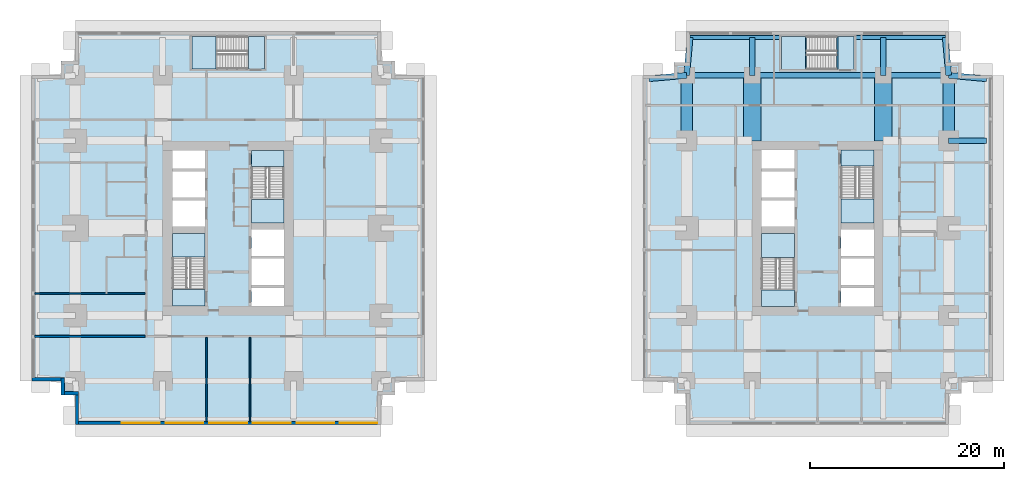
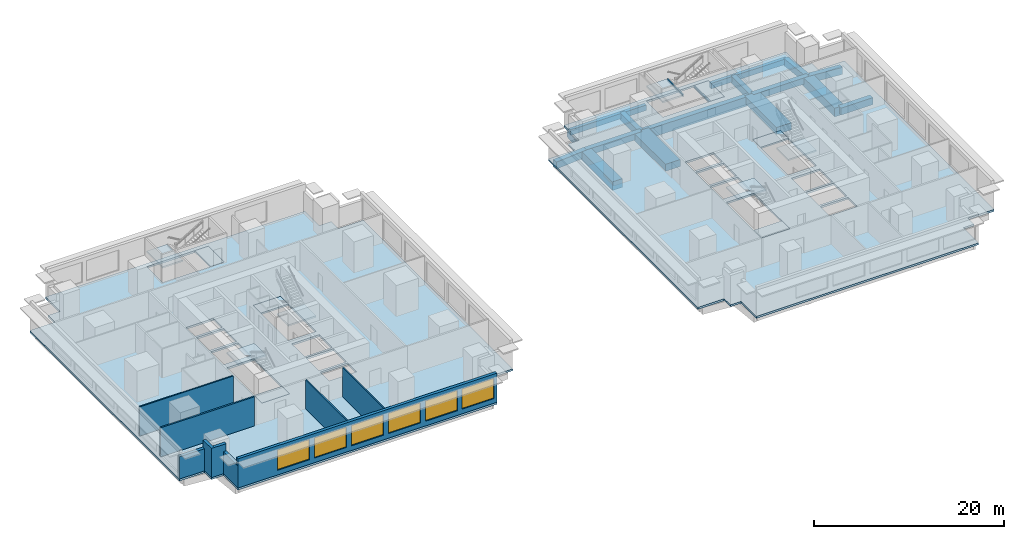
# One storey, part 2 of 11: 18 beams, 14 slabs, 9 walls, 6 windows, 6 openings, 6 elements without a shape of their own.
"""IFC4 building model written with IfcOpenShell, lengths in metres."""

from ifc_helpers import new_model, si_unit, direction, frame, frame_2d, origin, origin_2d, place, context, subcontext, project, spatial, polyline, rectangle, i_section, outline, extrude, material, layer, layer_set, material_profile, profile_set, type_object, element, fill, aggregate, save


model = new_model("IFC4")

# Units and contexts
model_context = context("Model", 3, precision=1e-05, world=origin(), true_north=direction((0.0, 1.0)))
body_context = subcontext(model_context, "Body", "Model", "MODEL_VIEW")
ifc_project = project(units=[si_unit("LENGTHUNIT", "METRE"), si_unit("AREAUNIT", "SQUARE_METRE"), si_unit("VOLUMEUNIT", "CUBIC_METRE"), si_unit("PLANEANGLEUNIT", "RADIAN"), si_unit("MASSUNIT", "GRAM", prefix="KILO")], contexts=[model_context])

# Site, building, storey
site_placement = place(None, origin())
site = spatial("IfcSite", under=ifc_project, at=site_placement, CompositionType="ELEMENT")
building_placement = place(site_placement, origin())
building = spatial("IfcBuilding", under=site, at=building_placement, Name="Namib Vertical Campus", CompositionType="ELEMENT")
storey_placement = place(building_placement, frame((0.0, 0.0, 65.0)))
storey = spatial("IfcBuildingStorey", under=building, at=storey_placement, Name="L15", CompositionType="ELEMENT", Elevation=65.0)

# Beams
ifc_material_1 = material(Name="Concrete C40/50", Category="concrete")
ifc_material_profile_1 = material_profile(ifc_material_1, rectangle(XDim=0.60009765625, YDim=0.89990234375, at=origin_2d()))
ifc_profile_set_1 = profile_set([ifc_material_profile_1], Name="Concrete C40/50")
beam_type_1 = type_object("IfcBeamType", Name="Cantilever girder RC 600x900", PredefinedType="BEAM", material=ifc_profile_set_1)
beam_1_placement = place(storey_placement, frame((67.5, 36.0, -0.699951171875), z_axis=(0.089411326146, 0.995994786511, 0.0), x_axis=(-0.995994786511, 0.089411326146, 0.0)))
element("IfcBeam", 1, at=beam_1_placement, inside=storey, type_object=beam_type_1, Name="Beam B3 L15", PredefinedType="BEAM", context=body_context, shape_type="SweptSolid", body=[
    extrude(rectangle(XDim=0.60009765625, YDim=0.89990234375, at=origin_2d()), origin(), (0.0, 0.0, 1.0), 3.91552734375),
])
for number, where, z_axis, x_axis, name in (
    (2, (74.25, 36.0, -0.699951171875), (0.0, 1.0, 0.0), (-1.0, 0.0, 0.0), "Beam B3 L15"),
    (3, (87.75, 36.0, -0.699951171875), (0.0, 1.0, 0.0), (-1.0, 0.0, 0.0), "Beam B3 L15"),
):
    element("IfcBeam", number, at=place(storey_placement, frame(where, z_axis=z_axis, x_axis=x_axis)), inside=storey, type_object=beam_type_1, Name=name, PredefinedType="BEAM", context=body_context, shape_type="SweptSolid", body=[
        extrude(rectangle(XDim=0.60009765625, YDim=0.89990234375, at=origin_2d()), origin(), (0.0, 0.0, 1.0), 3.89990234375),
    ])
for number, where, z_axis, x_axis, name in (
    (4, (94.5, 36.0, -0.699951171875), (-0.089411326146, 0.995994786511, 0.0), (-0.995994786511, -0.089411326146, 0.0), "Beam B3 L15"),
    (5, (67.5, 36.0, -0.699951171875), (-0.995994786511, -0.089411326146, 0.0), (0.089411326146, -0.995994786511, 0.0), "Beam B3 L15"),
):
    element("IfcBeam", number, at=place(storey_placement, frame(where, z_axis=z_axis, x_axis=x_axis)), inside=storey, type_object=beam_type_1, Name=name, PredefinedType="BEAM", context=body_context, shape_type="SweptSolid", body=[
        extrude(rectangle(XDim=0.60009765625, YDim=0.89990234375, at=origin_2d()), origin(), (0.0, 0.0, 1.0), 3.91552734375),
    ])
beam_2_placement = place(storey_placement, frame((94.5, 29.25, -0.699951171875), z_axis=(1.0, 0.0, 0.0), x_axis=(0.0, 1.0, 0.0)))
element("IfcBeam", 6, at=beam_2_placement, inside=storey, type_object=beam_type_1, Name="Beam B3 L15", PredefinedType="BEAM", context=body_context, shape_type="SweptSolid", body=[
    extrude(rectangle(XDim=0.60009765625, YDim=0.89990234375, at=origin_2d()), origin(), (0.0, 0.0, 1.0), 3.89990234375),
])
beam_3_placement = place(storey_placement, frame((94.5, 36.0, -0.699951171875), z_axis=(0.995994786511, -0.089411326146, 0.0), x_axis=(0.089411326146, 0.995994786511, 0.0)))
element("IfcBeam", 7, at=beam_3_placement, inside=storey, type_object=beam_type_1, Name="Beam B3 L15", PredefinedType="BEAM", context=body_context, shape_type="SweptSolid", body=[
    extrude(rectangle(XDim=0.60009765625, YDim=0.89990234375, at=origin_2d()), origin(), (0.0, 0.0, 1.0), 3.91552734375),
])
ifc_material_2 = material(Name="Concrete C40/50", Category="concrete")
ifc_material_profile_2 = material_profile(ifc_material_2, rectangle(XDim=0.39990234375, YDim=0.699951171875, at=origin_2d()))
ifc_profile_set_2 = profile_set([ifc_material_profile_2], Name="Concrete C40/50")
beam_type_2 = type_object("IfcBeamType", Name="Edge beam RC 400x700", PredefinedType="SPANDREL", material=ifc_profile_set_2)
for number, where, z_axis, x_axis, name in (
    (8, (67.85009765625, 39.89990234375, -0.60009765625), (1.0, 0.0, 0.0), (0.0, 1.0, 0.0), "Beam B4 L15"),
    (9, (84.949951171875, 39.89990234375, -0.60009765625), (1.0, 0.0, 0.0), (0.0, 1.0, 0.0), "Beam B4 L15"),
):
    element("IfcBeam", number, at=place(storey_placement, frame(where, z_axis=z_axis, x_axis=x_axis)), inside=storey, type_object=beam_type_2, Name=name, PredefinedType="SPANDREL", context=body_context, shape_type="SweptSolid", body=[
        extrude(rectangle(XDim=0.39990234375, YDim=0.699951171875, at=origin_2d()), origin(), (0.0, 0.0, 1.0), 9.199951171875),
    ])
ifc_material_3 = material(Name="Concrete C40/50", Category="concrete")
ifc_material_profile_3 = material_profile(ifc_material_3, rectangle(XDim=1.199951171875, YDim=1.10009765625, at=origin_2d()))
ifc_profile_set_3 = profile_set([ifc_material_profile_3], Name="Concrete C40/50")
beam_type_3 = type_object("IfcBeamType", Name="Face ring beam RC 1200x1100", PredefinedType="BEAM", material=ifc_profile_set_3)
for number, where, z_axis, x_axis, name in (
    (10, (67.5, 29.25, -0.800048828125), (0.0, 1.0, 0.0), (-1.0, 0.0, 0.0), "Beam B11 L15"),
    (11, (94.5, 29.25, -0.800048828125), (0.0, 1.0, 0.0), (-1.0, 0.0, 0.0), "Beam B11 L15"),
):
    element("IfcBeam", number, at=place(storey_placement, frame(where, z_axis=z_axis, x_axis=x_axis)), inside=storey, type_object=beam_type_3, Name=name, PredefinedType="BEAM", context=body_context, shape_type="SweptSolid", body=[
        extrude(rectangle(XDim=1.199951171875, YDim=1.10009765625, at=origin_2d()), origin(), (0.0, 0.0, 1.0), 6.75),
    ])
ifc_material_4 = material(Name="Steel S355JR", Category="steel")
ifc_material_profile_4 = material_profile(ifc_material_4, i_section(OverallWidth=0.14599609375, OverallDepth=0.25146484375, WebThickness=0.006103515625, FlangeThickness=0.008544921875, FilletRadius=0.007568359375, at=origin_2d()))
ifc_profile_set_4 = profile_set([ifc_material_profile_4], Name="Steel S355JR")
beam_type_4 = type_object("IfcBeamType", Name="Landing trimmer UB 254x146x31", PredefinedType="BEAM", material=ifc_profile_set_4)
for number, where, z_axis, x_axis, name in (
    (12, (83.02294921875, 36.60009765625, -0.125732421875), (0.0, 1.0, 0.0), (-1.0, 0.0, 0.0), "Landing trimmer LT1 B-S3 L15 1"),
    (13, (79.796875, 36.60009765625, 1.874267578125), (0.0, 1.0, 0.0), (-1.0, 0.0, 0.0), "Landing trimmer LT1 B-S3 L15 2"),
):
    element("IfcBeam", number, at=place(storey_placement, frame(where, z_axis=z_axis, x_axis=x_axis)), inside=storey, type_object=beam_type_4, Name=name, PredefinedType="BEAM", context=body_context, shape_type="SweptSolid", body=[
        extrude(i_section(OverallWidth=0.14599609375, OverallDepth=0.25146484375, WebThickness=0.006103515625, FlangeThickness=0.008544921875, FilletRadius=0.007568359375, at=origin_2d()), origin(), (0.0, 0.0, 1.0), 3.39990234375),
    ])
ifc_material_5 = material(Name="Concrete C40/50", Category="concrete")
ifc_material_profile_5 = material_profile(ifc_material_5, rectangle(XDim=0.60009765625, YDim=1.199951171875, at=origin_2d()))
ifc_profile_set_5 = profile_set([ifc_material_profile_5], Name="Concrete C40/50")
beam_type_5 = type_object("IfcBeamType", Name="Long-span ring beam RC 600x1200", PredefinedType="BEAM", material=ifc_profile_set_5)
beam_4_placement = place(storey_placement, frame((74.25, 36.0, -0.85009765625), z_axis=(1.0, 0.0, 0.0), x_axis=(0.0, 1.0, 0.0)))
element("IfcBeam", 14, at=beam_4_placement, inside=storey, type_object=beam_type_5, Name="Beam B9 L15", PredefinedType="BEAM", context=body_context, shape_type="SweptSolid", body=[
    extrude(rectangle(XDim=0.60009765625, YDim=1.199951171875, at=origin_2d()), origin(), (0.0, 0.0, 1.0), 13.5),
])
ifc_material_6 = material(Name="Concrete C40/50", Category="concrete")
ifc_material_profile_6 = material_profile(ifc_material_6, rectangle(XDim=1.800048828125, YDim=0.89990234375, at=origin_2d()))
ifc_profile_set_6 = profile_set([ifc_material_profile_6], Name="Concrete C40/50")
beam_type_6 = type_object("IfcBeamType", Name="Outrigger line girder RC 1800x900", PredefinedType="BEAM", material=ifc_profile_set_6)
for number, where, z_axis, x_axis, name in (
    (15, (74.25, 36.0, -0.699951171875), (0.0, -1.0, 0.0), (1.0, 0.0, 0.0), "Beam B12 L15"),
    (16, (87.75, 36.0, -0.699951171875), (0.0, -1.0, 0.0), (1.0, 0.0, 0.0), "Beam B12 L15"),
):
    element("IfcBeam", number, at=place(storey_placement, frame(where, z_axis=z_axis, x_axis=x_axis)), inside=storey, type_object=beam_type_6, Name=name, PredefinedType="BEAM", context=body_context, shape_type="SweptSolid", body=[
        extrude(rectangle(XDim=1.800048828125, YDim=0.89990234375, at=origin_2d()), origin(), (0.0, 0.0, 1.0), 6.75),
    ])
ifc_material_7 = material(Name="Concrete C40/50", Category="concrete")
ifc_material_profile_7 = material_profile(ifc_material_7, rectangle(XDim=0.60009765625, YDim=0.800048828125, at=origin_2d()))
ifc_profile_set_7 = profile_set([ifc_material_profile_7], Name="Concrete C40/50")
beam_type_7 = type_object("IfcBeamType", Name="Ring beam RC 600x800", PredefinedType="BEAM", material=ifc_profile_set_7)
for number, where, z_axis, x_axis, name in (
    (17, (67.5, 36.0, -0.64990234375), (1.0, 0.0, 0.0), (0.0, 1.0, 0.0), "Beam B1 L15"),
    (18, (87.75, 36.0, -0.64990234375), (1.0, 0.0, 0.0), (0.0, 1.0, 0.0), "Beam B1 L15"),
):
    element("IfcBeam", number, at=place(storey_placement, frame(where, z_axis=z_axis, x_axis=x_axis)), inside=storey, type_object=beam_type_7, Name=name, PredefinedType="BEAM", context=body_context, shape_type="SweptSolid", body=[
        extrude(rectangle(XDim=0.60009765625, YDim=0.800048828125, at=origin_2d()), origin(), (0.0, 0.0, 1.0), 6.75),
    ])

# Slabs
ifc_material_8 = material(Name="Concrete C40/50", Category="concrete")
ifc_layer_1 = layer(ifc_material_8, 0.25)
ifc_layer_set_1 = layer_set([ifc_layer_1], Name="Concrete C40/50")
slab_type_1 = type_object("IfcSlabType", Name="Floor slab 250", PredefinedType="FLOOR", material=ifc_layer_set_1)
slab_1_placement = place(storey_placement, frame((0.0, 0.0, -0.25)))
element("IfcSlab", 19, at=slab_1_placement, inside=storey, type_object=slab_type_1, Name="Floor slab A L15", PredefinedType="FLOOR", context=body_context, shape_type="SweptSolid", body=[
    extrude(outline(polyline([(4.5, 0.0), (36.0, 0.0), (36.0, 3.050048828125), (37.449951171875, 3.050048828125), (37.449951171875, 4.5), (40.5, 4.5), (40.5, 36.0), (37.449951171875, 36.0), (37.449951171875, 37.449951171875), (36.0, 37.449951171875), (36.0, 40.5), (4.5, 40.5), (4.5, 37.449951171875), (3.050048828125, 37.449951171875), (3.050048828125, 36.0), (0.0, 36.0), (0.0, 4.5), (3.050048828125, 4.5), (3.050048828125, 3.050048828125), (4.5, 3.050048828125), (4.5, 0.0)]), holes=[polyline([(14.5, 12.25), (17.85009765625, 12.25), (17.85009765625, 19.699951171875), (14.5, 19.699951171875), (14.5, 12.25)]), polyline([(22.64990234375, 20.800048828125), (26.0, 20.800048828125), (26.0, 28.25), (22.64990234375, 28.25), (22.64990234375, 20.800048828125)]), polyline([(22.64990234375, 12.25), (26.0, 12.25), (26.0, 14.10009765625), (22.64990234375, 14.10009765625), (22.64990234375, 12.25)]), polyline([(14.5, 20.39990234375), (17.85009765625, 20.39990234375), (17.85009765625, 23.10009765625), (14.5, 23.10009765625), (14.5, 20.39990234375)]), polyline([(14.5, 23.39990234375), (17.85009765625, 23.39990234375), (17.85009765625, 26.10009765625), (14.5, 26.10009765625), (14.5, 23.39990234375)]), polyline([(14.5, 26.39990234375), (17.85009765625, 26.39990234375), (17.85009765625, 28.25), (14.5, 28.25), (14.5, 26.39990234375)]), polyline([(22.64990234375, 14.39990234375), (26.0, 14.39990234375), (26.0, 17.10009765625), (22.64990234375, 17.10009765625), (22.64990234375, 14.39990234375)]), polyline([(22.64990234375, 17.39990234375), (26.0, 17.39990234375), (26.0, 20.10009765625), (22.64990234375, 20.10009765625), (22.64990234375, 17.39990234375)]), polyline([(16.5, 36.64990234375), (24.0, 36.64990234375), (24.0, 40.0), (16.5, 40.0), (16.5, 36.64990234375)])]), origin(), (0.0, 0.0, 1.0), 0.25),
])
slab_2_placement = place(storey_placement, frame((0.0, 0.0, -0.25)))
element("IfcSlab", 20, at=slab_2_placement, inside=storey, type_object=slab_type_1, Name="Floor slab B L15", PredefinedType="FLOOR", context=body_context, shape_type="SweptSolid", body=[
    extrude(outline(polyline([(67.5, 0.0), (94.5, 0.0), (94.5, 3.199951171875), (95.800048828125, 3.199951171875), (95.800048828125, 4.5), (99.0, 4.5), (99.0, 36.0), (95.800048828125, 36.0), (95.800048828125, 37.300048828125), (94.5, 37.300048828125), (94.5, 40.5), (67.5, 40.5), (67.5, 37.300048828125), (66.199951171875, 37.300048828125), (66.199951171875, 36.0), (63.0, 36.0), (63.0, 4.5), (66.199951171875, 4.5), (66.199951171875, 3.199951171875), (67.5, 3.199951171875), (67.5, 0.0)]), holes=[polyline([(75.199951171875, 12.199951171875), (78.60009765625, 12.199951171875), (78.60009765625, 19.699951171875), (75.199951171875, 19.699951171875), (75.199951171875, 12.199951171875)]), polyline([(83.39990234375, 20.800048828125), (86.800048828125, 20.800048828125), (86.800048828125, 28.300048828125), (83.39990234375, 28.300048828125), (83.39990234375, 20.800048828125)]), polyline([(83.39990234375, 12.199951171875), (86.800048828125, 12.199951171875), (86.800048828125, 14.10009765625), (83.39990234375, 14.10009765625), (83.39990234375, 12.199951171875)]), polyline([(75.199951171875, 20.39990234375), (78.60009765625, 20.39990234375), (78.60009765625, 23.10009765625), (75.199951171875, 23.10009765625), (75.199951171875, 20.39990234375)]), polyline([(75.199951171875, 23.39990234375), (78.60009765625, 23.39990234375), (78.60009765625, 26.10009765625), (75.199951171875, 26.10009765625), (75.199951171875, 23.39990234375)]), polyline([(75.199951171875, 26.39990234375), (78.60009765625, 26.39990234375), (78.60009765625, 28.300048828125), (75.199951171875, 28.300048828125), (75.199951171875, 26.39990234375)]), polyline([(83.39990234375, 14.39990234375), (86.800048828125, 14.39990234375), (86.800048828125, 17.10009765625), (83.39990234375, 17.10009765625), (83.39990234375, 14.39990234375)]), polyline([(83.39990234375, 17.39990234375), (86.800048828125, 17.39990234375), (86.800048828125, 20.10009765625), (83.39990234375, 20.10009765625), (83.39990234375, 17.39990234375)]), polyline([(77.25, 36.60009765625), (84.75, 36.60009765625), (84.75, 40.0), (77.25, 40.0), (77.25, 36.60009765625)])]), origin(), (0.0, 0.0, 1.0), 0.25),
])

# Stair, slabs
ifc_material_9 = material(Name="Concrete C40/50 precast", Category="concrete")
stair_type_1 = type_object("IfcStairType", Name="Exit stair 4000 rise 24 risers 3350 wide", PredefinedType="HALF_TURN_STAIR", material=ifc_material_9)
stair_1_placement = place(storey_placement, origin())
stair_1 = element("IfcStair", 21, at=stair_1_placement, inside=storey, type_object=stair_type_1, Name="Exit stair A-S1 L15", PredefinedType="HALF_TURN_STAIR")
ifc_material_10 = material(Name="Concrete C40/50", Category="concrete")
ifc_layer_2 = layer(ifc_material_10, 0.199951171875)
ifc_layer_set_2 = layer_set([ifc_layer_2], Name="Concrete C40/50")
slab_type_2 = type_object("IfcSlabType", Name="Stair landing 200", PredefinedType="LANDING", material=ifc_layer_set_2)
slab_3_placement = place(storey_placement, frame((0.0, 0.0, -0.199951171875)))
slab_3 = element("IfcSlab", 22, at=slab_3_placement, type_object=slab_type_2, Name="A-S1 landing 1", PredefinedType="LANDING", context=body_context, shape_type="SweptSolid", body=[
    extrude(outline(polyline([(14.5, 12.25), (17.85009765625, 12.25), (17.85009765625, 13.90380859375), (14.5, 13.90380859375), (14.5, 12.25)])), origin(), (0.0, 0.0, 1.0), 0.199951171875),
])
slab_4_placement = place(storey_placement, frame((0.0, 0.0, 1.800048828125)))
slab_4 = element("IfcSlab", 23, at=slab_4_placement, type_object=slab_type_2, Name="A-S1 landing 2", PredefinedType="LANDING", context=body_context, shape_type="SweptSolid", body=[
    extrude(outline(polyline([(14.5, 17.276123046875), (17.85009765625, 17.276123046875), (17.85009765625, 19.699951171875), (14.5, 19.699951171875), (14.5, 17.276123046875)])), origin(), (0.0, 0.0, 1.0), 0.199951171875),
])
aggregate(stair_1, [slab_3, slab_4])

stair_2_placement = place(storey_placement, origin())
stair_2 = element("IfcStair", 24, at=stair_2_placement, inside=storey, type_object=stair_type_1, Name="Exit stair A-S2 L15", PredefinedType="HALF_TURN_STAIR")
slab_5_placement = place(storey_placement, frame((0.0, 0.0, -0.199951171875)))
slab_5 = element("IfcSlab", 25, at=slab_5_placement, type_object=slab_type_2, Name="A-S2 landing 1", PredefinedType="LANDING", context=body_context, shape_type="SweptSolid", body=[
    extrude(outline(polyline([(22.64990234375, 26.59619140625), (26.0, 26.59619140625), (26.0, 28.25), (22.64990234375, 28.25), (22.64990234375, 26.59619140625)])), origin(), (0.0, 0.0, 1.0), 0.199951171875),
])
slab_6_placement = place(storey_placement, frame((0.0, 0.0, 1.800048828125)))
slab_6 = element("IfcSlab", 26, at=slab_6_placement, type_object=slab_type_2, Name="A-S2 landing 2", PredefinedType="LANDING", context=body_context, shape_type="SweptSolid", body=[
    extrude(outline(polyline([(22.64990234375, 20.800048828125), (26.0, 20.800048828125), (26.0, 23.223876953125), (22.64990234375, 23.223876953125), (22.64990234375, 20.800048828125)])), origin(), (0.0, 0.0, 1.0), 0.199951171875),
])
aggregate(stair_2, [slab_5, slab_6])

ifc_material_11 = material(Name="Concrete C40/50 precast", Category="concrete")
stair_type_2 = type_object("IfcStairType", Name="Exit stair 4000 rise 24 risers 3400 wide", PredefinedType="HALF_TURN_STAIR", material=ifc_material_11)
stair_3_placement = place(storey_placement, origin())
stair_3 = element("IfcStair", 27, at=stair_3_placement, inside=storey, type_object=stair_type_2, Name="Exit stair B-S1 L15", PredefinedType="HALF_TURN_STAIR")
slab_7_placement = place(storey_placement, frame((0.0, 0.0, -0.199951171875)))
slab_7 = element("IfcSlab", 28, at=slab_7_placement, type_object=slab_type_2, Name="B-S1 landing 1", PredefinedType="LANDING", context=body_context, shape_type="SweptSolid", body=[
    extrude(outline(polyline([(75.199951171875, 12.199951171875), (78.60009765625, 12.199951171875), (78.60009765625, 13.85400390625), (75.199951171875, 13.85400390625), (75.199951171875, 12.199951171875)])), origin(), (0.0, 0.0, 1.0), 0.199951171875),
])
slab_8_placement = place(storey_placement, frame((0.0, 0.0, 1.800048828125)))
slab_8 = element("IfcSlab", 29, at=slab_8_placement, type_object=slab_type_2, Name="B-S1 landing 2", PredefinedType="LANDING", context=body_context, shape_type="SweptSolid", body=[
    extrude(outline(polyline([(75.199951171875, 17.22607421875), (78.60009765625, 17.22607421875), (78.60009765625, 19.699951171875), (75.199951171875, 19.699951171875), (75.199951171875, 17.22607421875)])), origin(), (0.0, 0.0, 1.0), 0.199951171875),
])
aggregate(stair_3, [slab_7, slab_8])

stair_4_placement = place(storey_placement, origin())
stair_4 = element("IfcStair", 30, at=stair_4_placement, inside=storey, type_object=stair_type_2, Name="Exit stair B-S2 L15", PredefinedType="HALF_TURN_STAIR")
slab_9_placement = place(storey_placement, frame((0.0, 0.0, -0.199951171875)))
slab_9 = element("IfcSlab", 31, at=slab_9_placement, type_object=slab_type_2, Name="B-S2 landing 1", PredefinedType="LANDING", context=body_context, shape_type="SweptSolid", body=[
    extrude(outline(polyline([(83.39990234375, 26.64599609375), (86.800048828125, 26.64599609375), (86.800048828125, 28.300048828125), (83.39990234375, 28.300048828125), (83.39990234375, 26.64599609375)])), origin(), (0.0, 0.0, 1.0), 0.199951171875),
])
slab_10_placement = place(storey_placement, frame((0.0, 0.0, 1.800048828125)))
slab_10 = element("IfcSlab", 32, at=slab_10_placement, type_object=slab_type_2, Name="B-S2 landing 2", PredefinedType="LANDING", context=body_context, shape_type="SweptSolid", body=[
    extrude(outline(polyline([(83.39990234375, 20.800048828125), (86.800048828125, 20.800048828125), (86.800048828125, 23.27392578125), (83.39990234375, 23.27392578125), (83.39990234375, 20.800048828125)])), origin(), (0.0, 0.0, 1.0), 0.199951171875),
])
aggregate(stair_4, [slab_9, slab_10])

stair_5_placement = place(storey_placement, origin())
stair_5 = element("IfcStair", 33, at=stair_5_placement, inside=storey, type_object=stair_type_1, Name="Exit stair A-S3 L15", PredefinedType="HALF_TURN_STAIR")
slab_11_placement = place(storey_placement, frame((0.0, 0.0, -0.199951171875)))
slab_11 = element("IfcSlab", 34, at=slab_11_placement, type_object=slab_type_2, Name="A-S3 landing 1", PredefinedType="LANDING", context=body_context, shape_type="SweptSolid", body=[
    extrude(outline(polyline([(22.34619140625, 36.64990234375), (22.34619140625, 40.0), (24.0, 40.0), (24.0, 36.64990234375), (22.34619140625, 36.64990234375)])), origin(), (0.0, 0.0, 1.0), 0.199951171875),
])
slab_12_placement = place(storey_placement, frame((0.0, 0.0, 1.800048828125)))
slab_12 = element("IfcSlab", 35, at=slab_12_placement, type_object=slab_type_2, Name="A-S3 landing 2", PredefinedType="LANDING", context=body_context, shape_type="SweptSolid", body=[
    extrude(outline(polyline([(16.5, 36.64990234375), (16.5, 40.0), (18.973876953125, 40.0), (18.973876953125, 36.64990234375), (16.5, 36.64990234375)])), origin(), (0.0, 0.0, 1.0), 0.199951171875),
])
aggregate(stair_5, [slab_11, slab_12])

stair_6_placement = place(storey_placement, origin())
stair_6 = element("IfcStair", 36, at=stair_6_placement, inside=storey, type_object=stair_type_2, Name="Exit stair B-S3 L15", PredefinedType="HALF_TURN_STAIR")
slab_13_placement = place(storey_placement, frame((0.0, 0.0, -0.199951171875)))
slab_13 = element("IfcSlab", 37, at=slab_13_placement, type_object=slab_type_2, Name="B-S3 landing 1", PredefinedType="LANDING", context=body_context, shape_type="SweptSolid", body=[
    extrude(outline(polyline([(83.09619140625, 36.60009765625), (83.09619140625, 40.0), (84.75, 40.0), (84.75, 36.60009765625), (83.09619140625, 36.60009765625)])), origin(), (0.0, 0.0, 1.0), 0.199951171875),
])
slab_14_placement = place(storey_placement, frame((0.0, 0.0, 1.800048828125)))
slab_14 = element("IfcSlab", 38, at=slab_14_placement, type_object=slab_type_2, Name="B-S3 landing 2", PredefinedType="LANDING", context=body_context, shape_type="SweptSolid", body=[
    extrude(outline(polyline([(77.25, 36.60009765625), (77.25, 40.0), (79.723876953125, 40.0), (79.723876953125, 36.60009765625), (77.25, 36.60009765625)])), origin(), (0.0, 0.0, 1.0), 0.199951171875),
])
aggregate(stair_6, [slab_13, slab_14])

# Wall
ifc_material_12 = material(Name="Concrete masonry", Category="masonry")
ifc_layer_3 = layer(ifc_material_12, 0.199951171875)
ifc_layer_set_3 = layer_set([ifc_layer_3], Name="Corridor wall 200")
wall_type_1 = type_object("IfcWallType", Name="Corridor wall 200", PredefinedType="SOLIDWALL", material=ifc_layer_set_3)
wall_1_placement = place(storey_placement, frame((0.300048828125, 9.10009765625, 0.0), z_axis=(0.0, 0.0, 1.0), x_axis=(1.0, 0.0, 0.0)))
element("IfcWall", 39, at=wall_1_placement, inside=storey, type_object=wall_type_1, Name="Partition A L15 BSW", PredefinedType="SOLIDWALL", context=body_context, shape_type="SweptSolid", body=[
    extrude(rectangle(XDim=11.39990234375, YDim=0.199951171875, at=frame_2d((5.699951171875, 0.0))), origin(), (0.0, 0.0, 1.0), 3.75),
])

# Wall, openings, windows
ifc_material_13 = material(Name="Concrete C40/50", Category="concrete")
ifc_layer_4 = layer(ifc_material_13, 0.35009765625)
ifc_layer_set_4 = layer_set([ifc_layer_4], Name="Concrete C40/50")
wall_type_2 = type_object("IfcWallType", Name="External wall 350 bush-hammered concrete", PredefinedType="STANDARD", material=ifc_layer_set_4)
wall_2_placement = place(storey_placement, frame((4.52001953125, 0.175048828125, 0.0), z_axis=(0.0, 0.0, 1.0), x_axis=(1.0, 0.0, 0.0)))
wall_2 = element("IfcWall", 40, at=wall_2_placement, inside=storey, type_object=wall_type_2, Name="External wall L15 F01", PredefinedType="STANDARD", context=body_context, shape_type="SweptSolid", body=[
    extrude(rectangle(XDim=31.4599609375, YDim=0.35009765625, at=frame_2d((15.72998046875, 0.0))), origin(), (0.0, 0.0, 1.0), 3.75),
])
opening_1_placement = place(wall_2_placement, frame((4.780029296875, 0.0, 0.60009765625)))
opening_1 = element("IfcOpeningElement", 41, at=opening_1_placement, cuts=wall_2, Name="Opening W2", PredefinedType="OPENING", context=body_context, shape_type="SweptSolid", body=[
    extrude(rectangle(XDim=3.89990234375, YDim=2.60009765625, at=frame_2d((1.949951171875, 1.300048828125))), frame((0.0, 0.18505859375, 0.0), z_axis=(0.0, -1.0, 0.0), x_axis=(1.0, 0.0, 0.0)), (0.0, 0.0, 1.0), 0.3701171875),
])
opening_2_placement = place(wall_2_placement, frame((9.280029296875, 0.0, 0.60009765625)))
opening_2 = element("IfcOpeningElement", 42, at=opening_2_placement, cuts=wall_2, Name="Opening W2", PredefinedType="OPENING", context=body_context, shape_type="SweptSolid", body=[
    extrude(rectangle(XDim=3.89990234375, YDim=2.60009765625, at=frame_2d((1.949951171875, 1.300048828125))), frame((0.0, 0.18505859375, 0.0), z_axis=(0.0, -1.0, 0.0), x_axis=(1.0, 0.0, 0.0)), (0.0, 0.0, 1.0), 0.3701171875),
])
opening_3_placement = place(wall_2_placement, frame((13.780029296875, 0.0, 0.60009765625)))
opening_3 = element("IfcOpeningElement", 43, at=opening_3_placement, cuts=wall_2, Name="Opening W2", PredefinedType="OPENING", context=body_context, shape_type="SweptSolid", body=[
    extrude(rectangle(XDim=3.89990234375, YDim=2.60009765625, at=frame_2d((1.949951171875, 1.300048828125))), frame((0.0, 0.18505859375, 0.0), z_axis=(0.0, -1.0, 0.0), x_axis=(1.0, 0.0, 0.0)), (0.0, 0.0, 1.0), 0.3701171875),
])
opening_4_placement = place(wall_2_placement, frame((18.280029296875, 0.0, 0.60009765625)))
opening_4 = element("IfcOpeningElement", 44, at=opening_4_placement, cuts=wall_2, Name="Opening W2", PredefinedType="OPENING", context=body_context, shape_type="SweptSolid", body=[
    extrude(rectangle(XDim=3.89990234375, YDim=2.60009765625, at=frame_2d((1.949951171875, 1.300048828125))), frame((0.0, 0.18505859375, 0.0), z_axis=(0.0, -1.0, 0.0), x_axis=(1.0, 0.0, 0.0)), (0.0, 0.0, 1.0), 0.3701171875),
])
opening_5_placement = place(wall_2_placement, frame((22.780029296875, 0.0, 0.60009765625)))
opening_5 = element("IfcOpeningElement", 45, at=opening_5_placement, cuts=wall_2, Name="Opening W2", PredefinedType="OPENING", context=body_context, shape_type="SweptSolid", body=[
    extrude(rectangle(XDim=3.89990234375, YDim=2.60009765625, at=frame_2d((1.949951171875, 1.300048828125))), frame((0.0, 0.18505859375, 0.0), z_axis=(0.0, -1.0, 0.0), x_axis=(1.0, 0.0, 0.0)), (0.0, 0.0, 1.0), 0.3701171875),
])
opening_6_placement = place(wall_2_placement, frame((27.2099609375, 0.0, 0.60009765625)))
opening_6 = element("IfcOpeningElement", 46, at=opening_6_placement, cuts=wall_2, Name="Opening W2", PredefinedType="OPENING", context=body_context, shape_type="SweptSolid", body=[
    extrude(rectangle(XDim=3.89990234375, YDim=2.60009765625, at=frame_2d((1.949951171875, 1.300048828125))), frame((0.0, 0.18505859375, 0.0), z_axis=(0.0, -1.0, 0.0), x_axis=(1.0, 0.0, 0.0)), (0.0, 0.0, 1.0), 0.3701171875),
])
ifc_material_14 = material(Name="Dark tinted glass in black aluminium frame", Category="aluminium")
window_type = type_object("IfcWindowType", Name="Ribbon window 3900x2600", PartitioningType="SINGLE_PANEL", PredefinedType="WINDOW", material=ifc_material_14)
window_1_placement = place(opening_1_placement, origin())
window_1 = element("IfcWindow", 47, at=window_1_placement, inside=storey, type_object=window_type, Name="Window W2 L15 F01-2", OverallHeight=2.60009765625, OverallWidth=3.89990234375, PartitioningType="SINGLE_PANEL", PredefinedType="WINDOW", context=body_context, shape_type="SweptSolid", body=[
    extrude(rectangle(XDim=3.89990234375, YDim=2.60009765625, at=frame_2d((1.949951171875, 1.300048828125))), frame((0.0, 0.030029296875, 0.0), z_axis=(0.0, -1.0, 0.0), x_axis=(1.0, 0.0, 0.0)), (0.0, 0.0, 1.0), 0.06005859375),
])
fill(opening_1, window_1)
window_2_placement = place(opening_2_placement, origin())
window_2 = element("IfcWindow", 48, at=window_2_placement, inside=storey, type_object=window_type, Name="Window W2 L15 F01-3", OverallHeight=2.60009765625, OverallWidth=3.89990234375, PartitioningType="SINGLE_PANEL", PredefinedType="WINDOW", context=body_context, shape_type="SweptSolid", body=[
    extrude(rectangle(XDim=3.89990234375, YDim=2.60009765625, at=frame_2d((1.949951171875, 1.300048828125))), frame((0.0, 0.030029296875, 0.0), z_axis=(0.0, -1.0, 0.0), x_axis=(1.0, 0.0, 0.0)), (0.0, 0.0, 1.0), 0.06005859375),
])
fill(opening_2, window_2)
window_3_placement = place(opening_3_placement, origin())
window_3 = element("IfcWindow", 49, at=window_3_placement, inside=storey, type_object=window_type, Name="Window W2 L15 F01-4", OverallHeight=2.60009765625, OverallWidth=3.89990234375, PartitioningType="SINGLE_PANEL", PredefinedType="WINDOW", context=body_context, shape_type="SweptSolid", body=[
    extrude(rectangle(XDim=3.89990234375, YDim=2.60009765625, at=frame_2d((1.949951171875, 1.300048828125))), frame((0.0, 0.030029296875, 0.0), z_axis=(0.0, -1.0, 0.0), x_axis=(1.0, 0.0, 0.0)), (0.0, 0.0, 1.0), 0.06005859375),
])
fill(opening_3, window_3)
window_4_placement = place(opening_4_placement, origin())
window_4 = element("IfcWindow", 50, at=window_4_placement, inside=storey, type_object=window_type, Name="Window W2 L15 F01-5", OverallHeight=2.60009765625, OverallWidth=3.89990234375, PartitioningType="SINGLE_PANEL", PredefinedType="WINDOW", context=body_context, shape_type="SweptSolid", body=[
    extrude(rectangle(XDim=3.89990234375, YDim=2.60009765625, at=frame_2d((1.949951171875, 1.300048828125))), frame((0.0, 0.030029296875, 0.0), z_axis=(0.0, -1.0, 0.0), x_axis=(1.0, 0.0, 0.0)), (0.0, 0.0, 1.0), 0.06005859375),
])
fill(opening_4, window_4)
window_5_placement = place(opening_5_placement, origin())
window_5 = element("IfcWindow", 51, at=window_5_placement, inside=storey, type_object=window_type, Name="Window W2 L15 F01-6", OverallHeight=2.60009765625, OverallWidth=3.89990234375, PartitioningType="SINGLE_PANEL", PredefinedType="WINDOW", context=body_context, shape_type="SweptSolid", body=[
    extrude(rectangle(XDim=3.89990234375, YDim=2.60009765625, at=frame_2d((1.949951171875, 1.300048828125))), frame((0.0, 0.030029296875, 0.0), z_axis=(0.0, -1.0, 0.0), x_axis=(1.0, 0.0, 0.0)), (0.0, 0.0, 1.0), 0.06005859375),
])
fill(opening_5, window_5)
window_6_placement = place(opening_6_placement, origin())
window_6 = element("IfcWindow", 52, at=window_6_placement, inside=storey, type_object=window_type, Name="Window W2 L15 F01-7", OverallHeight=2.60009765625, OverallWidth=3.89990234375, PartitioningType="SINGLE_PANEL", PredefinedType="WINDOW", context=body_context, shape_type="SweptSolid", body=[
    extrude(rectangle(XDim=3.89990234375, YDim=2.60009765625, at=frame_2d((1.949951171875, 1.300048828125))), frame((0.0, 0.030029296875, 0.0), z_axis=(0.0, -1.0, 0.0), x_axis=(1.0, 0.0, 0.0)), (0.0, 0.0, 1.0), 0.06005859375),
])
fill(opening_6, window_6)

# Walls
wall_3_placement = place(storey_placement, frame((0.02001953125, 4.675048828125, 0.0), z_axis=(0.0, 0.0, 1.0), x_axis=(1.0, 0.0, 0.0)))
element("IfcWall", 53, at=wall_3_placement, inside=storey, type_object=wall_type_2, Name="External wall L15 F17", PredefinedType="STANDARD", context=body_context, shape_type="SweptSolid", body=[
    extrude(rectangle(XDim=3.35986328125, YDim=0.35009765625, at=frame_2d((1.679931640625, 0.0))), origin(), (0.0, 0.0, 1.0), 2.85009765625),
])
for number, where, z_axis, x_axis, name in (
    (54, (3.22509765625, 4.830078125, 0.0), (0.0, 0.0, 1.0), (0.0, -1.0, 0.0), "External wall L15 F18"),
    (55, (3.070068359375, 3.22509765625, 0.0), (0.0, 0.0, 1.0), (1.0, 0.0, 0.0), "External wall L15 F19"),
):
    element("IfcWall", number, at=place(storey_placement, frame(where, z_axis=z_axis, x_axis=x_axis)), inside=storey, type_object=wall_type_2, Name=name, PredefinedType="STANDARD", context=body_context, shape_type="SweptSolid", body=[
        extrude(rectangle(XDim=1.760009765625, YDim=0.35009765625, at=frame_2d((0.8798828125, 0.0))), origin(), (0.0, 0.0, 1.0), 3.75),
    ])
wall_4_placement = place(storey_placement, frame((4.675048828125, 3.3798828125, 0.0), z_axis=(0.0, 0.0, 1.0), x_axis=(0.0, -1.0, 0.0)))
element("IfcWall", 56, at=wall_4_placement, inside=storey, type_object=wall_type_2, Name="External wall L15 F20", PredefinedType="STANDARD", context=body_context, shape_type="SweptSolid", body=[
    extrude(rectangle(XDim=3.35986328125, YDim=0.35009765625, at=frame_2d((1.679931640625, 0.0))), origin(), (0.0, 0.0, 1.0), 2.85009765625),
])
ifc_material_15 = material(Name="Gypsum board on steel studs", Category="steel")
ifc_layer_5 = layer(ifc_material_15, 0.14990234375)
ifc_layer_set_5 = layer_set([ifc_layer_5], Name="Gypsum board on steel studs")
wall_type_3 = type_object("IfcWallType", Name="Partition 150", PredefinedType="PARTITIONING", material=ifc_layer_set_5)
for number, where, z_axis, x_axis, name in (
    (57, (18.0, 0.300048828125, 0.0), (0.0, 0.0, 1.0), (0.0, 1.0, 0.0), "Partition A L15 PS1"),
    (58, (22.5, 0.300048828125, 0.0), (0.0, 0.0, 1.0), (0.0, 1.0, 0.0), "Partition A L15 PS2"),
):
    element("IfcWall", number, at=place(storey_placement, frame(where, z_axis=z_axis, x_axis=x_axis)), inside=storey, type_object=wall_type_3, Name=name, PredefinedType="PARTITIONING", context=body_context, shape_type="SweptSolid", body=[
        extrude(rectangle(XDim=8.699951171875, YDim=0.14990234375, at=frame_2d((4.35009765625, 0.0))), origin(), (0.0, 0.0, 1.0), 3.75),
    ])
wall_5_placement = place(storey_placement, frame((0.300048828125, 13.5, 0.0), z_axis=(0.0, 0.0, 1.0), x_axis=(1.0, 0.0, 0.0)))
element("IfcWall", 59, at=wall_5_placement, inside=storey, type_object=wall_type_3, Name="Partition A L15 PW1", PredefinedType="PARTITIONING", context=body_context, shape_type="SweptSolid", body=[
    extrude(rectangle(XDim=11.39990234375, YDim=0.14990234375, at=frame_2d((5.699951171875, 0.0))), origin(), (0.0, 0.0, 1.0), 3.75),
])

save(model, "model.ifc")
